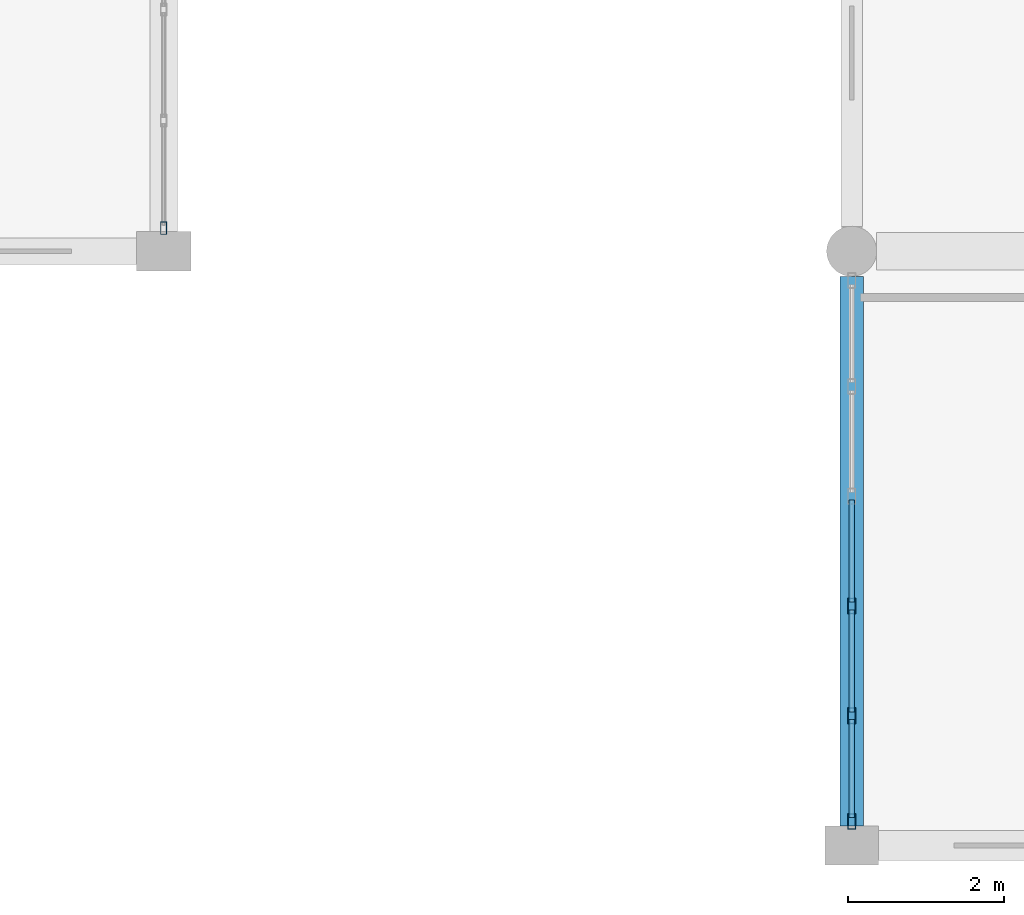
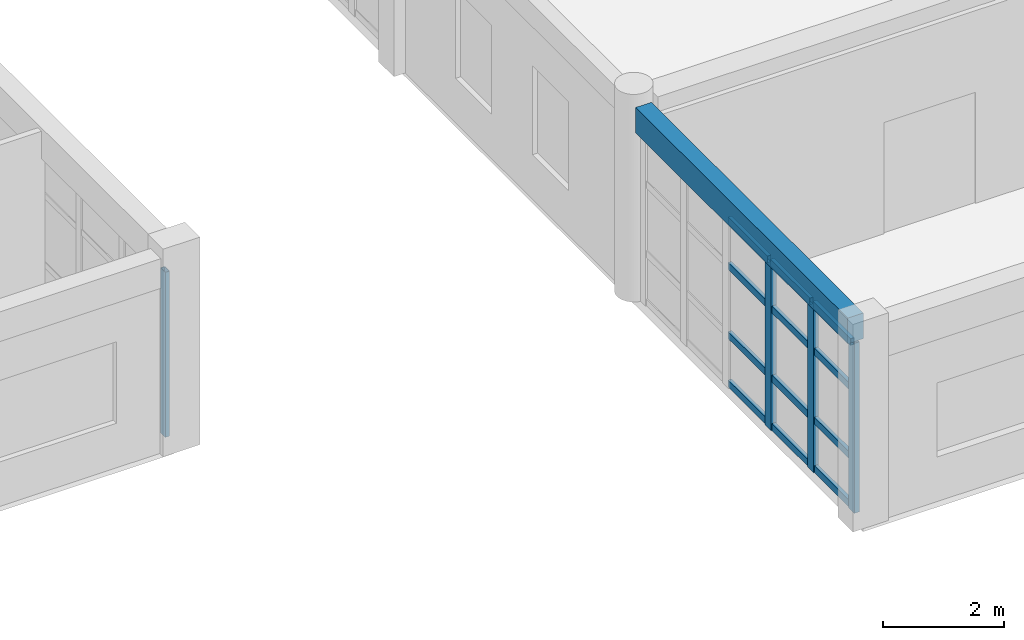
# One storey, part 39 of 121: 16 members, 1 beam, 2 elements without a shape of their own.
"""IFC4 building model written with IfcOpenShell, lengths in metres."""

from ifc_helpers import new_model, si_unit, direction, frame, origin, origin_2d, place, context, subcontext, project, spatial, rectangle, hollow_rectangle, extrude, material, material_profile, profile_set, type_object, element, aggregate, save


model = new_model("IFC4")

# Units and contexts
model_context = context("Model", 3, precision=1e-05, world=origin(), true_north=direction((0.0, 1.0)))
body_context = subcontext(model_context, "Body", "Model", "MODEL_VIEW")
ifc_project = project(units=[si_unit("LENGTHUNIT", "METRE"), si_unit("AREAUNIT", "SQUARE_METRE"), si_unit("VOLUMEUNIT", "CUBIC_METRE"), si_unit("PLANEANGLEUNIT", "RADIAN"), si_unit("MASSUNIT", "GRAM", prefix="KILO")], contexts=[model_context])

# Site, building, storey
site_placement = place(None, origin())
site = spatial("IfcSite", under=ifc_project, at=site_placement, CompositionType="ELEMENT")
building_placement = place(site_placement, origin())
building = spatial("IfcBuilding", under=site, at=building_placement, Name="Kharva Crest Polytechnic", CompositionType="ELEMENT")
storey_placement = place(building_placement, frame((0.0, 0.0, 13.199951171875)))
storey = spatial("IfcBuildingStorey", under=building, at=storey_placement, Name="L03", CompositionType="ELEMENT", Elevation=13.199951171875)

# Curtain wall, member
ifc_material_1 = material(Name="Tempered insulated glass", Category="glass")
curtain_wall_type_1 = type_object("IfcCurtainWallType", Name="CW-SYS-COURT", PredefinedType="USERDEFINED", material=ifc_material_1)
curtain_wall_1_placement = place(storey_placement, origin())
curtain_wall_1 = element("IfcCurtainWall", 1, at=curtain_wall_1_placement, inside=storey, type_object=curtain_wall_type_1, Name="L03 Glazed Curtain Wall CW-135", ObjectType="CURTAIN WALL", PredefinedType="USERDEFINED")
ifc_material_2 = material(Name="Steel S355", Category="steel")
ifc_material_profile_1 = material_profile(ifc_material_2, hollow_rectangle(XDim=0.080078125, YDim=0.159912109375, WallThickness=0.0048828125, at=origin_2d()), Name="RHS 160X80X5.0")
ifc_profile_set_1 = profile_set([ifc_material_profile_1], Name="Steel S355")
member_type_1 = type_object("IfcMemberType", Name="CWM-RHS160X80", PredefinedType="MULLION", material=ifc_profile_set_1)
member_1_placement = place(storey_placement, frame((112.0, 7.89501953125, 0.0), z_axis=(0.0, 0.0, 1.0), x_axis=(-1.0, 0.0, 0.0)))
member_1 = element("IfcMember", 2, at=member_1_placement, type_object=member_type_1, Name="CW-135 mullion 1", PredefinedType="MULLION", context=body_context, shape_type="SweptSolid", body=[
    extrude(hollow_rectangle(XDim=0.080078125, YDim=0.159912109375, WallThickness=0.0048828125, at=origin_2d()), origin(), (0.0, 0.0, 1.0), 3.340087890625),
])
aggregate(curtain_wall_1, [member_1])

# Curtain wall, members
curtain_wall_type_2 = type_object("IfcCurtainWallType", Name="CW-SYS-REFECTORY", PredefinedType="USERDEFINED", material=ifc_material_1)
curtain_wall_2_placement = place(storey_placement, origin())
curtain_wall_2 = element("IfcCurtainWall", 3, at=curtain_wall_2_placement, inside=storey, type_object=curtain_wall_type_2, Name="L03 Glazed Curtain Wall CW-140", ObjectType="CURTAIN WALL", PredefinedType="USERDEFINED")
ifc_material_profile_2 = material_profile(ifc_material_2, hollow_rectangle(XDim=0.10009765625, YDim=0.199951171875, WallThickness=0.00634765625, at=origin_2d()), Name="RHS 200X100X6.3")
ifc_profile_set_2 = profile_set([ifc_material_profile_2], Name="Steel S355")
member_type_2 = type_object("IfcMemberType", Name="CWM-RHS200X100", PredefinedType="MULLION", material=ifc_profile_set_2)
member_2_placement = place(storey_placement, frame((120.800048828125, 3.06298828125, 0.0), z_axis=(0.0, 0.0, 1.0), x_axis=(1.0, 0.0, 0.0)))
member_2 = element("IfcMember", 4, at=member_2_placement, type_object=member_type_2, Name="CW-140 mullion 4", PredefinedType="MULLION", context=body_context, shape_type="SweptSolid", body=[
    extrude(hollow_rectangle(XDim=0.10009765625, YDim=0.199951171875, WallThickness=0.00634765625, at=origin_2d()), origin(), (0.0, 0.0, 1.0), 3.43994140625),
])
member_3_placement = place(storey_placement, frame((120.800048828125, 1.658935546875, 0.0), z_axis=(0.0, 0.0, 1.0), x_axis=(1.0, 0.0, 0.0)))
member_3 = element("IfcMember", 5, at=member_3_placement, type_object=member_type_2, Name="CW-140 mullion 5", PredefinedType="MULLION", context=body_context, shape_type="SweptSolid", body=[
    extrude(hollow_rectangle(XDim=0.10009765625, YDim=0.199951171875, WallThickness=0.00634765625, at=origin_2d()), origin(), (0.0, 0.0, 1.0), 3.43994140625),
])
member_4_placement = place(storey_placement, frame((120.800048828125, 0.304931640625, 0.0), z_axis=(0.0, 0.0, 1.0), x_axis=(1.0, 0.0, 0.0)))
member_4 = element("IfcMember", 6, at=member_4_placement, type_object=member_type_2, Name="CW-140 mullion 6", PredefinedType="MULLION", context=body_context, shape_type="SweptSolid", body=[
    extrude(hollow_rectangle(XDim=0.10009765625, YDim=0.199951171875, WallThickness=0.00634765625, at=origin_2d()), origin(), (0.0, 0.0, 1.0), 3.43994140625),
])
ifc_material_profile_3 = material_profile(ifc_material_2, hollow_rectangle(XDim=0.070068359375, YDim=0.139892578125, WallThickness=0.00390625, at=origin_2d()), Name="RHS 140X70X4.0")
ifc_profile_set_3 = profile_set([ifc_material_profile_3], Name="Steel S355")
member_type_3 = type_object("IfcMemberType", Name="CWT-RHS140X70", PredefinedType="USERDEFINED", material=ifc_profile_set_3)
member_5_placement = place(storey_placement, frame((120.800048828125, 4.4169921875, 0.070068359375), z_axis=(0.0, -1.0, 0.0), x_axis=(1.0, 0.0, 0.0)))
member_5 = element("IfcMember", 7, at=member_5_placement, type_object=member_type_3, Name="CW-140 transom 3.1", ObjectType="TRANSOM", PredefinedType="USERDEFINED", context=body_context, shape_type="SweptSolid", body=[
    extrude(hollow_rectangle(XDim=0.070068359375, YDim=0.139892578125, WallThickness=0.00390625, at=origin_2d()), origin(), (0.0, 0.0, 1.0), 1.303955078125),
])
member_6_placement = place(storey_placement, frame((120.800048828125, 4.4169921875, 1.050048828125), z_axis=(0.0, -1.0, 0.0), x_axis=(1.0, 0.0, 0.0)))
member_6 = element("IfcMember", 8, at=member_6_placement, type_object=member_type_3, Name="CW-140 transom 3.2", ObjectType="TRANSOM", PredefinedType="USERDEFINED", context=body_context, shape_type="SweptSolid", body=[
    extrude(hollow_rectangle(XDim=0.070068359375, YDim=0.139892578125, WallThickness=0.00390625, at=origin_2d()), origin(), (0.0, 0.0, 1.0), 1.303955078125),
])
member_7_placement = place(storey_placement, frame((120.800048828125, 4.4169921875, 2.449951171875), z_axis=(0.0, -1.0, 0.0), x_axis=(1.0, 0.0, 0.0)))
member_7 = element("IfcMember", 9, at=member_7_placement, type_object=member_type_3, Name="CW-140 transom 3.3", ObjectType="TRANSOM", PredefinedType="USERDEFINED", context=body_context, shape_type="SweptSolid", body=[
    extrude(hollow_rectangle(XDim=0.070068359375, YDim=0.139892578125, WallThickness=0.00390625, at=origin_2d()), origin(), (0.0, 0.0, 1.0), 1.303955078125),
])
member_8_placement = place(storey_placement, frame((120.800048828125, 4.4169921875, 3.3701171875), z_axis=(0.0, -1.0, 0.0), x_axis=(1.0, 0.0, 0.0)))
member_8 = element("IfcMember", 10, at=member_8_placement, type_object=member_type_3, Name="CW-140 transom 3.4", ObjectType="TRANSOM", PredefinedType="USERDEFINED", context=body_context, shape_type="SweptSolid", body=[
    extrude(hollow_rectangle(XDim=0.070068359375, YDim=0.139892578125, WallThickness=0.00390625, at=origin_2d()), origin(), (0.0, 0.0, 1.0), 1.303955078125),
])
member_9_placement = place(storey_placement, frame((120.800048828125, 3.012939453125, 0.070068359375), z_axis=(0.0, -1.0, 0.0), x_axis=(1.0, 0.0, 0.0)))
member_9 = element("IfcMember", 11, at=member_9_placement, type_object=member_type_3, Name="CW-140 transom 4.1", ObjectType="TRANSOM", PredefinedType="USERDEFINED", context=body_context, shape_type="SweptSolid", body=[
    extrude(hollow_rectangle(XDim=0.070068359375, YDim=0.139892578125, WallThickness=0.00390625, at=origin_2d()), origin(), (0.0, 0.0, 1.0), 1.303955078125),
])
member_10_placement = place(storey_placement, frame((120.800048828125, 3.012939453125, 1.050048828125), z_axis=(0.0, -1.0, 0.0), x_axis=(1.0, 0.0, 0.0)))
member_10 = element("IfcMember", 12, at=member_10_placement, type_object=member_type_3, Name="CW-140 transom 4.2", ObjectType="TRANSOM", PredefinedType="USERDEFINED", context=body_context, shape_type="SweptSolid", body=[
    extrude(hollow_rectangle(XDim=0.070068359375, YDim=0.139892578125, WallThickness=0.00390625, at=origin_2d()), origin(), (0.0, 0.0, 1.0), 1.303955078125),
])
member_11_placement = place(storey_placement, frame((120.800048828125, 3.012939453125, 2.449951171875), z_axis=(0.0, -1.0, 0.0), x_axis=(1.0, 0.0, 0.0)))
member_11 = element("IfcMember", 13, at=member_11_placement, type_object=member_type_3, Name="CW-140 transom 4.3", ObjectType="TRANSOM", PredefinedType="USERDEFINED", context=body_context, shape_type="SweptSolid", body=[
    extrude(hollow_rectangle(XDim=0.070068359375, YDim=0.139892578125, WallThickness=0.00390625, at=origin_2d()), origin(), (0.0, 0.0, 1.0), 1.303955078125),
])
member_12_placement = place(storey_placement, frame((120.800048828125, 3.012939453125, 3.3701171875), z_axis=(0.0, -1.0, 0.0), x_axis=(1.0, 0.0, 0.0)))
member_12 = element("IfcMember", 14, at=member_12_placement, type_object=member_type_3, Name="CW-140 transom 4.4", ObjectType="TRANSOM", PredefinedType="USERDEFINED", context=body_context, shape_type="SweptSolid", body=[
    extrude(hollow_rectangle(XDim=0.070068359375, YDim=0.139892578125, WallThickness=0.00390625, at=origin_2d()), origin(), (0.0, 0.0, 1.0), 1.303955078125),
])
member_13_placement = place(storey_placement, frame((120.800048828125, 1.60888671875, 0.070068359375), z_axis=(0.0, -1.0, 0.0), x_axis=(1.0, 0.0, 0.0)))
member_13 = element("IfcMember", 15, at=member_13_placement, type_object=member_type_3, Name="CW-140 transom 5.1", ObjectType="TRANSOM", PredefinedType="USERDEFINED", context=body_context, shape_type="SweptSolid", body=[
    extrude(hollow_rectangle(XDim=0.070068359375, YDim=0.139892578125, WallThickness=0.00390625, at=origin_2d()), origin(), (0.0, 0.0, 1.0), 1.25390625),
])
member_14_placement = place(storey_placement, frame((120.800048828125, 1.60888671875, 1.050048828125), z_axis=(0.0, -1.0, 0.0), x_axis=(1.0, 0.0, 0.0)))
member_14 = element("IfcMember", 16, at=member_14_placement, type_object=member_type_3, Name="CW-140 transom 5.2", ObjectType="TRANSOM", PredefinedType="USERDEFINED", context=body_context, shape_type="SweptSolid", body=[
    extrude(hollow_rectangle(XDim=0.070068359375, YDim=0.139892578125, WallThickness=0.00390625, at=origin_2d()), origin(), (0.0, 0.0, 1.0), 1.25390625),
])
member_15_placement = place(storey_placement, frame((120.800048828125, 1.60888671875, 2.449951171875), z_axis=(0.0, -1.0, 0.0), x_axis=(1.0, 0.0, 0.0)))
member_15 = element("IfcMember", 17, at=member_15_placement, type_object=member_type_3, Name="CW-140 transom 5.3", ObjectType="TRANSOM", PredefinedType="USERDEFINED", context=body_context, shape_type="SweptSolid", body=[
    extrude(hollow_rectangle(XDim=0.070068359375, YDim=0.139892578125, WallThickness=0.00390625, at=origin_2d()), origin(), (0.0, 0.0, 1.0), 1.25390625),
])
member_16_placement = place(storey_placement, frame((120.800048828125, 1.60888671875, 3.3701171875), z_axis=(0.0, -1.0, 0.0), x_axis=(1.0, 0.0, 0.0)))
member_16 = element("IfcMember", 18, at=member_16_placement, type_object=member_type_3, Name="CW-140 transom 5.4", ObjectType="TRANSOM", PredefinedType="USERDEFINED", context=body_context, shape_type="SweptSolid", body=[
    extrude(hollow_rectangle(XDim=0.070068359375, YDim=0.139892578125, WallThickness=0.00390625, at=origin_2d()), origin(), (0.0, 0.0, 1.0), 1.25390625),
])
aggregate(curtain_wall_2, [member_2, member_3, member_4, member_5, member_6, member_7, member_8, member_9, member_10, member_11, member_12, member_13, member_14, member_15, member_16])

# Beam
ifc_material_3 = material(Name="Concrete C35/45", Category="concrete")
ifc_material_profile_4 = material_profile(ifc_material_3, rectangle(XDim=0.300048828125, YDim=0.52001953125, at=origin_2d()), Name="RECT 300 X 520")
ifc_profile_set_4 = profile_set([ifc_material_profile_4], Name="Concrete C35/45")
beam_type = type_object("IfcBeamType", Name="SP-RC-300X520", PredefinedType="SPANDREL", material=ifc_profile_set_4)
beam_placement = place(storey_placement, frame((120.800048828125, 0.25, 3.699951171875), z_axis=(0.0, 1.0, 0.0), x_axis=(-1.0, 0.0, 0.0)))
element("IfcBeam", 19, at=beam_placement, inside=storey, type_object=beam_type, Name="L03 Girder 16J/A-B", PredefinedType="SPANDREL", context=body_context, shape_type="SweptSolid", body=[
    extrude(rectangle(XDim=0.300048828125, YDim=0.52001953125, at=origin_2d()), origin(), (0.0, 0.0, 1.0), 7.030029296875),
])

save(model, "model.ifc")
